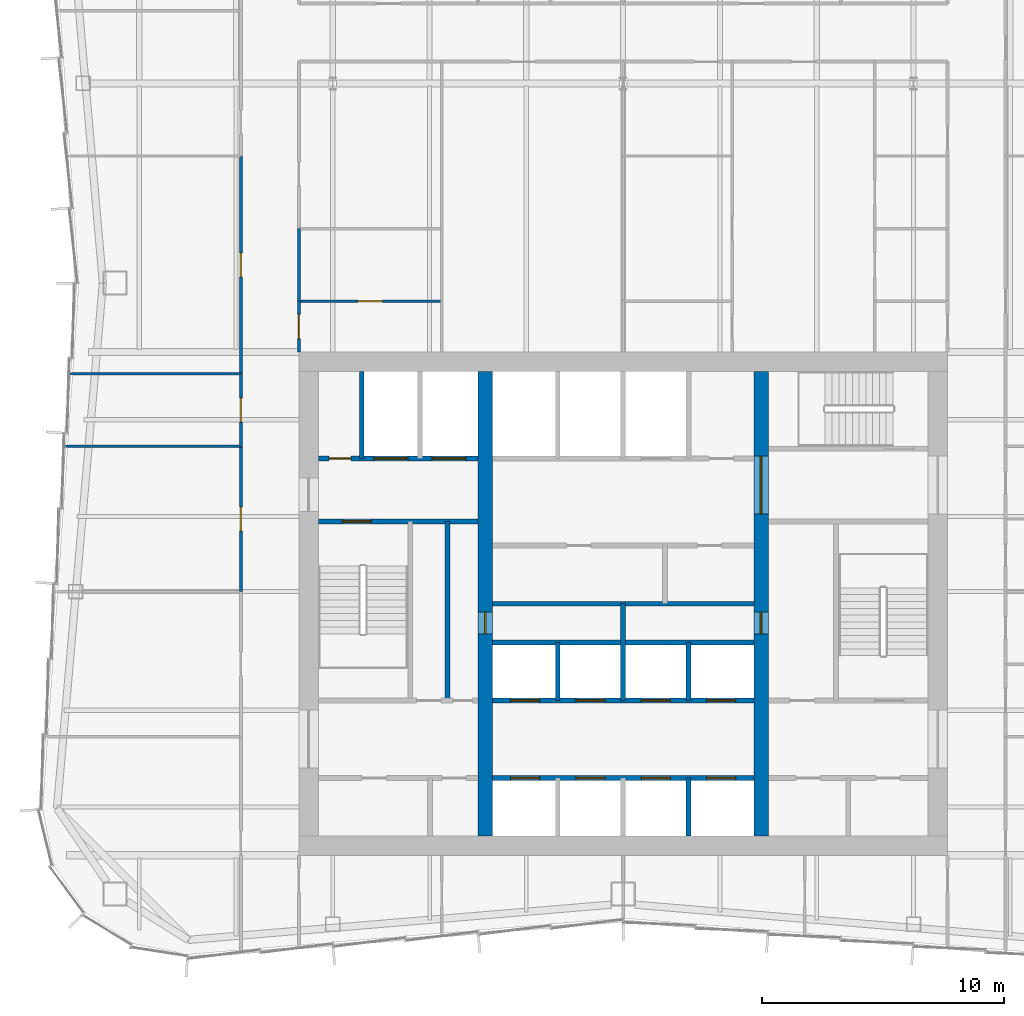
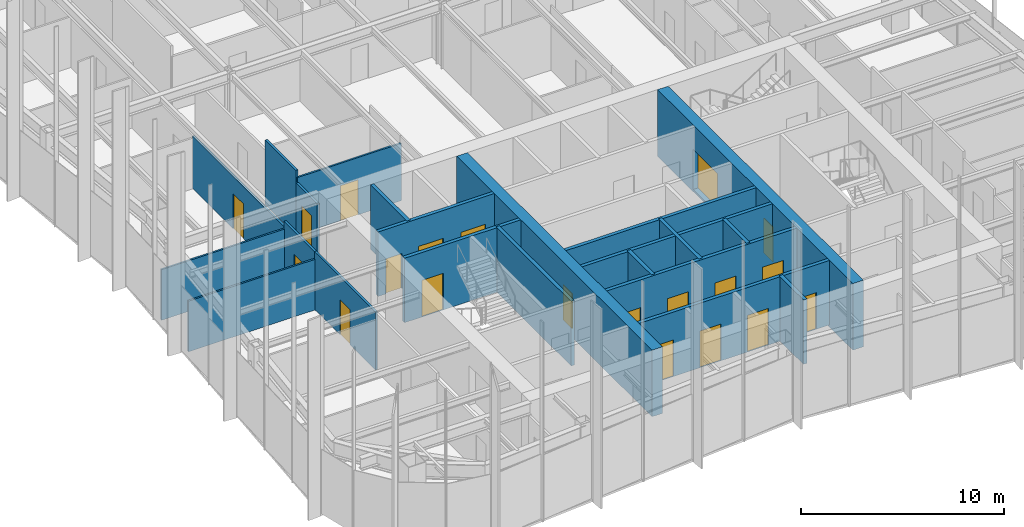
# One storey, part 11 of 15: 22 walls, 20 doors, 20 openings.
"""IFC4 building model written with IfcOpenShell, lengths in metres."""

from ifc_helpers import new_model, si_unit, direction, frame, frame_2d, origin, place, context, subcontext, project, spatial, rectangle, extrude, material, layer, layer_set, type_object, element, fill, save


model = new_model("IFC4")

# Units and contexts
model_context = context("Model", 3, precision=1e-05, world=origin(), true_north=direction((0.0, 1.0)))
body_context = subcontext(model_context, "Body", "Model", "MODEL_VIEW")
ifc_project = project(units=[si_unit("LENGTHUNIT", "METRE"), si_unit("AREAUNIT", "SQUARE_METRE"), si_unit("VOLUMEUNIT", "CUBIC_METRE"), si_unit("PLANEANGLEUNIT", "RADIAN"), si_unit("MASSUNIT", "GRAM", prefix="KILO")], contexts=[model_context])

# Site, building, storey
site_placement = place(None, origin())
site = spatial("IfcSite", under=ifc_project, at=site_placement, CompositionType="ELEMENT")
building_placement = place(site_placement, origin())
building = spatial("IfcBuilding", under=site, at=building_placement, Name="Verdant Reach Tower", CompositionType="ELEMENT")
storey_placement = place(building_placement, frame((0.0, 0.0, 262.0)))
storey = spatial("IfcBuildingStorey", under=building, at=storey_placement, Name="L60", CompositionType="ELEMENT", Elevation=262.0)

# Walls
ifc_material_1 = material(Name="Gypsum board on steel studs", Category="steel")
ifc_layer_1 = layer(ifc_material_1, 0.199951171875)
ifc_layer_set_1 = layer_set([ifc_layer_1], Name="CO-WALL-ROOM")
wall_type_1 = type_object("IfcWallType", Name="CO-WALL-ROOM", PredefinedType="PARTITIONING", material=ifc_layer_set_1)
wall_1_placement = place(storey_placement, frame((-5.39990234375, 28.0, 0.0), z_axis=(0.0, 0.0, 1.0), x_axis=(1.0, 0.0, 0.0)))
element("IfcWall", 1, at=wall_1_placement, inside=storey, type_object=wall_type_1, Name="Core partition, L60", PredefinedType="PARTITIONING", context=body_context, shape_type="SweptSolid", body=[
    extrude(rectangle(XDim=10.7998046875, YDim=0.199951171875, at=frame_2d((5.39990234375, 0.0))), origin(), (0.0, 0.0, 1.0), 3.8701171875),
])
wall_2_placement = place(storey_placement, frame((-7.260009765625, 24.0, 0.0), z_axis=(0.0, 0.0, 1.0), x_axis=(0.0, 1.0, 0.0)))
element("IfcWall", 2, at=wall_2_placement, inside=storey, type_object=wall_type_1, Name="Core partition, L60", PredefinedType="PARTITIONING", context=body_context, shape_type="SweptSolid", body=[
    extrude(rectangle(XDim=7.39990234375, YDim=0.199951171875, at=frame_2d((3.699951171875, 0.0))), origin(), (0.0, 0.0, 1.0), 3.8701171875),
])

# Wall, openings, doors
ifc_material_2 = material(Name="Concrete C40/50", Category="concrete")
ifc_layer_2 = layer(ifc_material_2, 0.199951171875)
ifc_layer_set_2 = layer_set([ifc_layer_2], Name="CO-WALL-SHAFT")
wall_type_2 = type_object("IfcWallType", Name="CO-WALL-SHAFT", PredefinedType="PARTITIONING", material=ifc_layer_set_2)
wall_3_placement = place(storey_placement, frame((-5.39990234375, 20.800048828125, 0.0), z_axis=(0.0, 0.0, 1.0), x_axis=(1.0, 0.0, 0.0)))
wall_3 = element("IfcWall", 3, at=wall_3_placement, inside=storey, type_object=wall_type_2, Name="Lift shaft wall, L60", PredefinedType="PARTITIONING", context=body_context, shape_type="SweptSolid", body=[
    extrude(rectangle(XDim=10.7998046875, YDim=0.199951171875, at=frame_2d((5.39990234375, 0.0))), origin(), (0.0, 0.0, 1.0), 3.8701171875),
])
opening_1_placement = place(wall_3_placement, frame((0.75, 0.0, 0.0)))
opening_1 = element("IfcOpeningElement", 4, at=opening_1_placement, cuts=wall_3, Name="Opening LD-B1", PredefinedType="OPENING", context=body_context, shape_type="SweptSolid", body=[
    extrude(rectangle(XDim=1.199951171875, YDim=2.199951171875, at=frame_2d((0.60009765625, 1.10009765625))), frame((0.0, 0.10986328125, 0.0), z_axis=(0.0, -1.0, 0.0), x_axis=(1.0, 0.0, 0.0)), (0.0, 0.0, 1.0), 0.219970703125),
])
opening_2_placement = place(wall_3_placement, frame((3.449951171875, 0.0, 0.0)))
opening_2 = element("IfcOpeningElement", 5, at=opening_2_placement, cuts=wall_3, Name="Opening LD-B2", PredefinedType="OPENING", context=body_context, shape_type="SweptSolid", body=[
    extrude(rectangle(XDim=1.199951171875, YDim=2.199951171875, at=frame_2d((0.60009765625, 1.10009765625))), frame((0.0, 0.10986328125, 0.0), z_axis=(0.0, -1.0, 0.0), x_axis=(1.0, 0.0, 0.0)), (0.0, 0.0, 1.0), 0.219970703125),
])
opening_3_placement = place(wall_3_placement, frame((6.14990234375, 0.0, 0.0)))
opening_3 = element("IfcOpeningElement", 6, at=opening_3_placement, cuts=wall_3, Name="Opening LD-B3", PredefinedType="OPENING", context=body_context, shape_type="SweptSolid", body=[
    extrude(rectangle(XDim=1.199951171875, YDim=2.199951171875, at=frame_2d((0.60009765625, 1.10009765625))), frame((0.0, 0.10986328125, 0.0), z_axis=(0.0, -1.0, 0.0), x_axis=(1.0, 0.0, 0.0)), (0.0, 0.0, 1.0), 0.219970703125),
])
opening_4_placement = place(wall_3_placement, frame((8.85009765625, 0.0, 0.0)))
opening_4 = element("IfcOpeningElement", 7, at=opening_4_placement, cuts=wall_3, Name="Opening LD-B4", PredefinedType="OPENING", context=body_context, shape_type="SweptSolid", body=[
    extrude(rectangle(XDim=1.199951171875, YDim=2.199951171875, at=frame_2d((0.60009765625, 1.10009765625))), frame((0.0, 0.10986328125, 0.0), z_axis=(0.0, -1.0, 0.0), x_axis=(1.0, 0.0, 0.0)), (0.0, 0.0, 1.0), 0.219970703125),
])
ifc_material_3 = material(Name="Stainless steel", Category="steel")
door_type_1 = type_object("IfcDoorType", Name="CO-DOOR-LANDING", OperationType="SLIDING_TO_LEFT", PredefinedType="DOOR", material=ifc_material_3)
door_1_placement = place(opening_1_placement, origin())
door_1 = element("IfcDoor", 8, at=door_1_placement, inside=storey, type_object=door_type_1, Name="Landing door B1, L60", OperationType="SLIDING_TO_LEFT", OverallHeight=2.199951171875, OverallWidth=1.199951171875, PredefinedType="DOOR", context=body_context, shape_type="SweptSolid", body=[
    extrude(rectangle(XDim=1.199951171875, YDim=2.199951171875, at=frame_2d((0.60009765625, 1.10009765625))), frame((0.0, 0.02490234375, 0.0), z_axis=(0.0, -1.0, 0.0), x_axis=(1.0, 0.0, 0.0)), (0.0, 0.0, 1.0), 0.050048828125),
])
fill(opening_1, door_1)
door_2_placement = place(opening_2_placement, origin())
door_2 = element("IfcDoor", 9, at=door_2_placement, inside=storey, type_object=door_type_1, Name="Landing door B2, L60", OperationType="SLIDING_TO_LEFT", OverallHeight=2.199951171875, OverallWidth=1.199951171875, PredefinedType="DOOR", context=body_context, shape_type="SweptSolid", body=[
    extrude(rectangle(XDim=1.199951171875, YDim=2.199951171875, at=frame_2d((0.60009765625, 1.10009765625))), frame((0.0, 0.02490234375, 0.0), z_axis=(0.0, -1.0, 0.0), x_axis=(1.0, 0.0, 0.0)), (0.0, 0.0, 1.0), 0.050048828125),
])
fill(opening_2, door_2)
door_3_placement = place(opening_3_placement, origin())
door_3 = element("IfcDoor", 10, at=door_3_placement, inside=storey, type_object=door_type_1, Name="Landing door B3, L60", OperationType="SLIDING_TO_LEFT", OverallHeight=2.199951171875, OverallWidth=1.199951171875, PredefinedType="DOOR", context=body_context, shape_type="SweptSolid", body=[
    extrude(rectangle(XDim=1.199951171875, YDim=2.199951171875, at=frame_2d((0.60009765625, 1.10009765625))), frame((0.0, 0.02490234375, 0.0), z_axis=(0.0, -1.0, 0.0), x_axis=(1.0, 0.0, 0.0)), (0.0, 0.0, 1.0), 0.050048828125),
])
fill(opening_3, door_3)
door_4_placement = place(opening_4_placement, origin())
door_4 = element("IfcDoor", 11, at=door_4_placement, inside=storey, type_object=door_type_1, Name="Landing door B4, L60", OperationType="SLIDING_TO_LEFT", OverallHeight=2.199951171875, OverallWidth=1.199951171875, PredefinedType="DOOR", context=body_context, shape_type="SweptSolid", body=[
    extrude(rectangle(XDim=1.199951171875, YDim=2.199951171875, at=frame_2d((0.60009765625, 1.10009765625))), frame((0.0, 0.02490234375, 0.0), z_axis=(0.0, -1.0, 0.0), x_axis=(1.0, 0.0, 0.0)), (0.0, 0.0, 1.0), 0.050048828125),
])
fill(opening_4, door_4)

wall_4_placement = place(storey_placement, frame((-5.39990234375, 24.0, 0.0), z_axis=(0.0, 0.0, 1.0), x_axis=(1.0, 0.0, 0.0)))
wall_4 = element("IfcWall", 12, at=wall_4_placement, inside=storey, type_object=wall_type_2, Name="Lift shaft wall, L60", PredefinedType="PARTITIONING", context=body_context, shape_type="SweptSolid", body=[
    extrude(rectangle(XDim=10.7998046875, YDim=0.199951171875, at=frame_2d((5.39990234375, 0.0))), origin(), (0.0, 0.0, 1.0), 3.8701171875),
])
opening_5_placement = place(wall_4_placement, frame((0.75, 0.0, 0.0)))
opening_5 = element("IfcOpeningElement", 13, at=opening_5_placement, cuts=wall_4, Name="Opening LD-A5", PredefinedType="OPENING", context=body_context, shape_type="SweptSolid", body=[
    extrude(rectangle(XDim=1.199951171875, YDim=2.199951171875, at=frame_2d((0.60009765625, 1.10009765625))), frame((0.0, 0.10986328125, 0.0), z_axis=(0.0, -1.0, 0.0), x_axis=(1.0, 0.0, 0.0)), (0.0, 0.0, 1.0), 0.219970703125),
])
opening_6_placement = place(wall_4_placement, frame((3.449951171875, 0.0, 0.0)))
opening_6 = element("IfcOpeningElement", 14, at=opening_6_placement, cuts=wall_4, Name="Opening LD-A6", PredefinedType="OPENING", context=body_context, shape_type="SweptSolid", body=[
    extrude(rectangle(XDim=1.199951171875, YDim=2.199951171875, at=frame_2d((0.60009765625, 1.10009765625))), frame((0.0, 0.10986328125, 0.0), z_axis=(0.0, -1.0, 0.0), x_axis=(1.0, 0.0, 0.0)), (0.0, 0.0, 1.0), 0.219970703125),
])
opening_7_placement = place(wall_4_placement, frame((6.14990234375, 0.0, 0.0)))
opening_7 = element("IfcOpeningElement", 15, at=opening_7_placement, cuts=wall_4, Name="Opening LD-A7", PredefinedType="OPENING", context=body_context, shape_type="SweptSolid", body=[
    extrude(rectangle(XDim=1.199951171875, YDim=2.199951171875, at=frame_2d((0.60009765625, 1.10009765625))), frame((0.0, 0.10986328125, 0.0), z_axis=(0.0, -1.0, 0.0), x_axis=(1.0, 0.0, 0.0)), (0.0, 0.0, 1.0), 0.219970703125),
])
opening_8_placement = place(wall_4_placement, frame((8.85009765625, 0.0, 0.0)))
opening_8 = element("IfcOpeningElement", 16, at=opening_8_placement, cuts=wall_4, Name="Opening LD-A8", PredefinedType="OPENING", context=body_context, shape_type="SweptSolid", body=[
    extrude(rectangle(XDim=1.199951171875, YDim=2.199951171875, at=frame_2d((0.60009765625, 1.10009765625))), frame((0.0, 0.10986328125, 0.0), z_axis=(0.0, -1.0, 0.0), x_axis=(1.0, 0.0, 0.0)), (0.0, 0.0, 1.0), 0.219970703125),
])
door_5_placement = place(opening_5_placement, origin())
door_5 = element("IfcDoor", 17, at=door_5_placement, inside=storey, type_object=door_type_1, Name="Landing door A5, L60", OperationType="SLIDING_TO_LEFT", OverallHeight=2.199951171875, OverallWidth=1.199951171875, PredefinedType="DOOR", context=body_context, shape_type="SweptSolid", body=[
    extrude(rectangle(XDim=1.199951171875, YDim=2.199951171875, at=frame_2d((0.60009765625, 1.10009765625))), frame((0.0, 0.02490234375, 0.0), z_axis=(0.0, -1.0, 0.0), x_axis=(1.0, 0.0, 0.0)), (0.0, 0.0, 1.0), 0.050048828125),
])
fill(opening_5, door_5)
door_6_placement = place(opening_6_placement, origin())
door_6 = element("IfcDoor", 18, at=door_6_placement, inside=storey, type_object=door_type_1, Name="Landing door A6, L60", OperationType="SLIDING_TO_LEFT", OverallHeight=2.199951171875, OverallWidth=1.199951171875, PredefinedType="DOOR", context=body_context, shape_type="SweptSolid", body=[
    extrude(rectangle(XDim=1.199951171875, YDim=2.199951171875, at=frame_2d((0.60009765625, 1.10009765625))), frame((0.0, 0.02490234375, 0.0), z_axis=(0.0, -1.0, 0.0), x_axis=(1.0, 0.0, 0.0)), (0.0, 0.0, 1.0), 0.050048828125),
])
fill(opening_6, door_6)
door_7_placement = place(opening_7_placement, origin())
door_7 = element("IfcDoor", 19, at=door_7_placement, inside=storey, type_object=door_type_1, Name="Landing door A7, L60", OperationType="SLIDING_TO_LEFT", OverallHeight=2.199951171875, OverallWidth=1.199951171875, PredefinedType="DOOR", context=body_context, shape_type="SweptSolid", body=[
    extrude(rectangle(XDim=1.199951171875, YDim=2.199951171875, at=frame_2d((0.60009765625, 1.10009765625))), frame((0.0, 0.02490234375, 0.0), z_axis=(0.0, -1.0, 0.0), x_axis=(1.0, 0.0, 0.0)), (0.0, 0.0, 1.0), 0.050048828125),
])
fill(opening_7, door_7)
door_8_placement = place(opening_8_placement, origin())
door_8 = element("IfcDoor", 20, at=door_8_placement, inside=storey, type_object=door_type_1, Name="Landing door A8, L60", OperationType="SLIDING_TO_LEFT", OverallHeight=2.199951171875, OverallWidth=1.199951171875, PredefinedType="DOOR", context=body_context, shape_type="SweptSolid", body=[
    extrude(rectangle(XDim=1.199951171875, YDim=2.199951171875, at=frame_2d((0.60009765625, 1.10009765625))), frame((0.0, 0.02490234375, 0.0), z_axis=(0.0, -1.0, 0.0), x_axis=(1.0, 0.0, 0.0)), (0.0, 0.0, 1.0), 0.050048828125),
])
fill(opening_8, door_8)

# Wall
wall_5_placement = place(storey_placement, frame((-5.39990234375, 26.39990234375, 0.0), z_axis=(0.0, 0.0, 1.0), x_axis=(1.0, 0.0, 0.0)))
element("IfcWall", 21, at=wall_5_placement, inside=storey, type_object=wall_type_2, Name="Lift shaft wall, L60", PredefinedType="PARTITIONING", context=body_context, shape_type="SweptSolid", body=[
    extrude(rectangle(XDim=10.7998046875, YDim=0.199951171875, at=frame_2d((5.39990234375, 0.0))), origin(), (0.0, 0.0, 1.0), 3.8701171875),
])

# Wall, openings, doors
wall_6_placement = place(storey_placement, frame((-12.60009765625, 34.0, 0.0), z_axis=(0.0, 0.0, 1.0), x_axis=(1.0, 0.0, 0.0)))
wall_6 = element("IfcWall", 22, at=wall_6_placement, inside=storey, type_object=wall_type_2, Name="Lift shaft wall, L60", PredefinedType="PARTITIONING", context=body_context, shape_type="SweptSolid", body=[
    extrude(rectangle(XDim=6.60009765625, YDim=0.199951171875, at=frame_2d((3.300048828125, 0.0))), origin(), (0.0, 0.0, 1.0), 3.8701171875),
])
opening_9_placement = place(wall_6_placement, frame((4.699951171875, 0.0, 0.0)))
opening_9 = element("IfcOpeningElement", 23, at=opening_9_placement, cuts=wall_6, Name="Opening LD-F1", PredefinedType="OPENING", context=body_context, shape_type="SweptSolid", body=[
    extrude(rectangle(XDim=1.39990234375, YDim=2.199951171875, at=frame_2d((0.699951171875, 1.10009765625))), frame((0.0, 0.10986328125, 0.0), z_axis=(0.0, -1.0, 0.0), x_axis=(1.0, 0.0, 0.0)), (0.0, 0.0, 1.0), 0.219970703125),
])
opening_10_placement = place(wall_6_placement, frame((2.300048828125, 0.0, 0.0)))
opening_10 = element("IfcOpeningElement", 24, at=opening_10_placement, cuts=wall_6, Name="Opening LD-F2", PredefinedType="OPENING", context=body_context, shape_type="SweptSolid", body=[
    extrude(rectangle(XDim=1.39990234375, YDim=2.199951171875, at=frame_2d((0.699951171875, 1.10009765625))), frame((0.0, 0.10986328125, 0.0), z_axis=(0.0, -1.0, 0.0), x_axis=(1.0, 0.0, 0.0)), (0.0, 0.0, 1.0), 0.219970703125),
])
opening_11_placement = place(wall_6_placement, frame((0.449951171875, 0.0, 0.0)))
opening_11 = element("IfcOpeningElement", 25, at=opening_11_placement, cuts=wall_6, Name="Opening RD", PredefinedType="OPENING", context=body_context, shape_type="SweptSolid", body=[
    extrude(rectangle(XDim=0.89990234375, YDim=2.10009765625, at=frame_2d((0.449951171875, 1.050048828125))), frame((0.0, 0.10986328125, 0.0), z_axis=(0.0, -1.0, 0.0), x_axis=(1.0, 0.0, 0.0)), (0.0, 0.0, 1.0), 0.219970703125),
])
door_type_2 = type_object("IfcDoorType", Name="CO-DOOR-LANDING-FF", OperationType="SLIDING_TO_LEFT", PredefinedType="DOOR", material=ifc_material_3)
door_9_placement = place(opening_9_placement, origin())
door_9 = element("IfcDoor", 26, at=door_9_placement, inside=storey, type_object=door_type_2, Name="Landing door F1, L60", OperationType="SLIDING_TO_LEFT", OverallHeight=2.199951171875, OverallWidth=1.39990234375, PredefinedType="DOOR", context=body_context, shape_type="SweptSolid", body=[
    extrude(rectangle(XDim=1.39990234375, YDim=2.199951171875, at=frame_2d((0.699951171875, 1.10009765625))), frame((0.0, 0.02490234375, 0.0), z_axis=(0.0, -1.0, 0.0), x_axis=(1.0, 0.0, 0.0)), (0.0, 0.0, 1.0), 0.050048828125),
])
fill(opening_9, door_9)
door_10_placement = place(opening_10_placement, origin())
door_10 = element("IfcDoor", 27, at=door_10_placement, inside=storey, type_object=door_type_2, Name="Landing door F2, L60", OperationType="SLIDING_TO_LEFT", OverallHeight=2.199951171875, OverallWidth=1.39990234375, PredefinedType="DOOR", context=body_context, shape_type="SweptSolid", body=[
    extrude(rectangle(XDim=1.39990234375, YDim=2.199951171875, at=frame_2d((0.699951171875, 1.10009765625))), frame((0.0, 0.02490234375, 0.0), z_axis=(0.0, -1.0, 0.0), x_axis=(1.0, 0.0, 0.0)), (0.0, 0.0, 1.0), 0.050048828125),
])
fill(opening_10, door_10)
ifc_material_4 = material(Name="Steel", Category="steel")
door_type_3 = type_object("IfcDoorType", Name="CO-DOOR-RISER", OperationType="NOTDEFINED", PredefinedType="DOOR", material=ifc_material_4)
door_11_placement = place(opening_11_placement, origin())
door_11 = element("IfcDoor", 28, at=door_11_placement, inside=storey, type_object=door_type_3, Name="Core room door, L60", OperationType="SINGLE_SWING_RIGHT", OverallHeight=2.10009765625, OverallWidth=0.89990234375, PredefinedType="DOOR", context=body_context, shape_type="SweptSolid", body=[
    extrude(rectangle(XDim=0.89990234375, YDim=2.10009765625, at=frame_2d((0.449951171875, 1.050048828125))), frame((0.0, 0.02490234375, 0.0), z_axis=(0.0, -1.0, 0.0), x_axis=(1.0, 0.0, 0.0)), (0.0, 0.0, 1.0), 0.050048828125),
])
fill(opening_11, door_11)

# Walls
wall_7_placement = place(storey_placement, frame((-10.800048828125, 34.0, 0.0), z_axis=(0.0, 0.0, 1.0), x_axis=(0.0, 1.0, 0.0)))
element("IfcWall", 29, at=wall_7_placement, inside=storey, type_object=wall_type_2, Name="Lift shaft wall, L60", PredefinedType="PARTITIONING", context=body_context, shape_type="SweptSolid", body=[
    extrude(rectangle(XDim=3.60009765625, YDim=0.199951171875, at=frame_2d((1.800048828125, 0.0))), origin(), (0.0, 0.0, 1.0), 3.8701171875),
])
wall_8_placement = place(storey_placement, frame((-2.699951171875, 24.0, 0.0), z_axis=(0.0, 0.0, 1.0), x_axis=(0.0, 1.0, 0.0)))
element("IfcWall", 30, at=wall_8_placement, inside=storey, type_object=wall_type_2, Name="Lift shaft wall, L60", PredefinedType="PARTITIONING", context=body_context, shape_type="SweptSolid", body=[
    extrude(rectangle(XDim=2.39990234375, YDim=0.199951171875, at=frame_2d((1.199951171875, 0.0))), origin(), (0.0, 0.0, 1.0), 3.8701171875),
])
wall_9_placement = place(storey_placement, frame((0.0, 24.0, 0.0), z_axis=(0.0, 0.0, 1.0), x_axis=(0.0, 1.0, 0.0)))
element("IfcWall", 31, at=wall_9_placement, inside=storey, type_object=wall_type_2, Name="Lift shaft wall, L60", PredefinedType="PARTITIONING", context=body_context, shape_type="SweptSolid", body=[
    extrude(rectangle(XDim=4.0, YDim=0.199951171875, at=frame_2d((2.0, 0.0))), origin(), (0.0, 0.0, 1.0), 3.8701171875),
])
wall_10_placement = place(storey_placement, frame((2.699951171875, 18.39990234375, 0.0), z_axis=(0.0, 0.0, 1.0), x_axis=(0.0, 1.0, 0.0)))
element("IfcWall", 32, at=wall_10_placement, inside=storey, type_object=wall_type_2, Name="Lift shaft wall, L60", PredefinedType="PARTITIONING", context=body_context, shape_type="SweptSolid", body=[
    extrude(rectangle(XDim=2.400146484375, YDim=0.199951171875, at=frame_2d((1.2001953125, 0.0))), origin(), (0.0, 0.0, 1.0), 3.8701171875),
])
wall_11_placement = place(storey_placement, frame((2.699951171875, 24.0, 0.0), z_axis=(0.0, 0.0, 1.0), x_axis=(0.0, 1.0, 0.0)))
element("IfcWall", 33, at=wall_11_placement, inside=storey, type_object=wall_type_2, Name="Lift shaft wall, L60", PredefinedType="PARTITIONING", context=body_context, shape_type="SweptSolid", body=[
    extrude(rectangle(XDim=2.39990234375, YDim=0.199951171875, at=frame_2d((1.199951171875, 0.0))), origin(), (0.0, 0.0, 1.0), 3.8701171875),
])

# Wall, opening, door
ifc_layer_3 = layer(ifc_material_2, 0.199951171875)
ifc_layer_set_3 = layer_set([ifc_layer_3], Name="CO-WALL-STAIR")
wall_type_3 = type_object("IfcWallType", Name="CO-WALL-STAIR", PredefinedType="PARTITIONING", material=ifc_layer_set_3)
wall_12_placement = place(storey_placement, frame((-12.60009765625, 31.39990234375, 0.0), z_axis=(0.0, 0.0, 1.0), x_axis=(1.0, 0.0, 0.0)))
wall_12 = element("IfcWall", 34, at=wall_12_placement, inside=storey, type_object=wall_type_3, Name="Stair enclosure wall, L60", PredefinedType="PARTITIONING", context=body_context, shape_type="SweptSolid", body=[
    extrude(rectangle(XDim=6.60009765625, YDim=0.199951171875, at=frame_2d((3.300048828125, 0.0))), origin(), (0.0, 0.0, 1.0), 3.8701171875),
])
opening_12_placement = place(wall_12_placement, frame((1.0, 0.0, 0.0)))
opening_12 = element("IfcOpeningElement", 35, at=opening_12_placement, cuts=wall_12, Name="Opening SD", PredefinedType="OPENING", context=body_context, shape_type="SweptSolid", body=[
    extrude(rectangle(XDim=1.199951171875, YDim=2.199951171875, at=frame_2d((0.60009765625, 1.10009765625))), frame((0.0, 0.10986328125, 0.0), z_axis=(0.0, -1.0, 0.0), x_axis=(1.0, 0.0, 0.0)), (0.0, 0.0, 1.0), 0.219970703125),
])
door_type_4 = type_object("IfcDoorType", Name="CO-DOOR-STAIR", OperationType="NOTDEFINED", PredefinedType="DOOR", material=ifc_material_4)
door_12_placement = place(opening_12_placement, origin())
door_12 = element("IfcDoor", 36, at=door_12_placement, inside=storey, type_object=door_type_4, Name="Stair door, L60", OperationType="SINGLE_SWING_RIGHT", OverallHeight=2.199951171875, OverallWidth=1.199951171875, PredefinedType="DOOR", context=body_context, shape_type="SweptSolid", body=[
    extrude(rectangle(XDim=1.199951171875, YDim=2.199951171875, at=frame_2d((0.60009765625, 1.10009765625))), frame((0.0, 0.02490234375, 0.0), z_axis=(0.0, -1.0, 0.0), x_axis=(1.0, 0.0, 0.0)), (0.0, 0.0, 1.0), 0.050048828125),
])
fill(opening_12, door_12)

# Walls
ifc_layer_4 = layer(ifc_material_1, 0.10009765625)
ifc_layer_set_4 = layer_set([ifc_layer_4], Name="FL-W1 Partition 100")
wall_type_4 = type_object("IfcWallType", Name="FL-W1 Partition 100", PredefinedType="PARTITIONING", material=ifc_layer_set_4)
wall_13_placement = place(storey_placement, frame((-15.800048828125, 34.5, 0.0), z_axis=(0.0, 0.0, 1.0), x_axis=(-1.0, 0.0, 0.0)))
element("IfcWall", 37, at=wall_13_placement, inside=storey, type_object=wall_type_4, Name="Partition 60.43", PredefinedType="PARTITIONING", context=body_context, shape_type="SweptSolid", body=[
    extrude(rectangle(XDim=7.245361328125, YDim=0.10009765625, at=frame_2d((3.62255859375, 0.0))), origin(), (0.0, 0.0, 1.0), 3.0400390625),
])
wall_14_placement = place(storey_placement, frame((-15.800048828125, 37.5, 0.0), z_axis=(0.0, 0.0, 1.0), x_axis=(-1.0, 0.0, 0.0)))
element("IfcWall", 38, at=wall_14_placement, inside=storey, type_object=wall_type_4, Name="Partition 60.44", PredefinedType="PARTITIONING", context=body_context, shape_type="SweptSolid", body=[
    extrude(rectangle(XDim=7.03857421875, YDim=0.10009765625, at=frame_2d((3.519287109375, 0.0))), origin(), (0.0, 0.0, 1.0), 3.0400390625),
])

# Wall, opening, door
wall_15_placement = place(storey_placement, frame((-13.39990234375, 40.5, 0.0), z_axis=(0.0, 0.0, 1.0), x_axis=(1.0, 0.0, 0.0)))
wall_15 = element("IfcWall", 39, at=wall_15_placement, inside=storey, type_object=wall_type_4, Name="Partition 60.59", PredefinedType="PARTITIONING", context=body_context, shape_type="SweptSolid", body=[
    extrude(rectangle(XDim=5.89990234375, YDim=0.10009765625, at=frame_2d((2.949951171875, 0.0))), origin(), (0.0, 0.0, 1.0), 3.43994140625),
])
opening_13_placement = place(wall_15_placement, frame((2.449951171875, 0.0, 0.0)))
opening_13 = element("IfcOpeningElement", 40, at=opening_13_placement, cuts=wall_15, Name="Opening D3", PredefinedType="OPENING", context=body_context, shape_type="SweptSolid", body=[
    extrude(rectangle(XDim=1.0, YDim=2.10009765625, at=frame_2d((0.5, 1.050048828125))), frame((0.0, 0.06005859375, 0.0), z_axis=(0.0, -1.0, 0.0), x_axis=(1.0, 0.0, 0.0)), (0.0, 0.0, 1.0), 0.1201171875),
])
ifc_material_5 = material(Name="Painted timber door leaf", Category="wood")
door_type_5 = type_object("IfcDoorType", Name="FL-D3 Door 1000x2100", OperationType="NOTDEFINED", PredefinedType="DOOR", material=ifc_material_5)
door_13_placement = place(opening_13_placement, origin())
door_13 = element("IfcDoor", 41, at=door_13_placement, inside=storey, type_object=door_type_5, Name="Door 60-033", OperationType="SINGLE_SWING_LEFT", OverallHeight=2.10009765625, OverallWidth=1.0, PredefinedType="DOOR", context=body_context, shape_type="SweptSolid", body=[
    extrude(rectangle(XDim=1.0, YDim=2.10009765625, at=frame_2d((0.5, 1.050048828125))), frame((0.0, 0.02490234375, 0.0), z_axis=(0.0, -1.0, 0.0), x_axis=(1.0, 0.0, 0.0)), (0.0, 0.0, 1.0), 0.050048828125),
])
fill(opening_13, door_13)

ifc_material_6 = material(Name="Gypsum board on steel studs, fire rated", Category="steel")
ifc_layer_5 = layer(ifc_material_6, 0.125)
ifc_layer_set_5 = layer_set([ifc_layer_5], Name="FL-W2 Corridor wall 125")
wall_type_5 = type_object("IfcWallType", Name="FL-W2 Corridor wall 125", PredefinedType="PARTITIONING", material=ifc_layer_set_5)
wall_16_placement = place(storey_placement, frame((-15.800048828125, 28.5, 0.0), z_axis=(0.0, 0.0, 1.0), x_axis=(0.0, 1.0, 0.0)))
wall_16 = element("IfcWall", 42, at=wall_16_placement, inside=storey, type_object=wall_type_5, Name="Partition 60.03", PredefinedType="PARTITIONING", context=body_context, shape_type="SweptSolid", body=[
    extrude(rectangle(XDim=6.0, YDim=0.125, at=frame_2d((3.0, 0.0))), origin(), (0.0, 0.0, 1.0), 3.47998046875),
])
opening_14_placement = place(wall_16_placement, frame((2.5, 0.0, 0.0)))
opening_14 = element("IfcOpeningElement", 43, at=opening_14_placement, cuts=wall_16, Name="Opening D2", PredefinedType="OPENING", context=body_context, shape_type="SweptSolid", body=[
    extrude(rectangle(XDim=1.0, YDim=2.10009765625, at=frame_2d((0.5, 1.050048828125))), frame((0.0, 0.072509765625, 0.0), z_axis=(0.0, -1.0, 0.0), x_axis=(1.0, 0.0, 0.0)), (0.0, 0.0, 1.0), 0.14501953125),
])
ifc_material_7 = material(Name="Timber door leaf, fire rated", Category="wood")
door_type_6 = type_object("IfcDoorType", Name="FL-D2 Entrance door 1000x2100 FD30", OperationType="NOTDEFINED", PredefinedType="DOOR", material=ifc_material_7)
door_14_placement = place(opening_14_placement, origin())
door_14 = element("IfcDoor", 44, at=door_14_placement, inside=storey, type_object=door_type_6, Name="Door 60-003", OperationType="SINGLE_SWING_LEFT", OverallHeight=2.10009765625, OverallWidth=1.0, PredefinedType="DOOR", context=body_context, shape_type="SweptSolid", body=[
    extrude(rectangle(XDim=1.0, YDim=2.10009765625, at=frame_2d((0.5, 1.050048828125))), frame((0.0, 0.02490234375, 0.0), z_axis=(0.0, -1.0, 0.0), x_axis=(1.0, 0.0, 0.0)), (0.0, 0.0, 1.0), 0.050048828125),
])
fill(opening_14, door_14)

wall_17_placement = place(storey_placement, frame((-15.800048828125, 34.5, 0.0), z_axis=(0.0, 0.0, 1.0), x_axis=(0.0, 1.0, 0.0)))
wall_17 = element("IfcWall", 45, at=wall_17_placement, inside=storey, type_object=wall_type_5, Name="Partition 60.04", PredefinedType="PARTITIONING", context=body_context, shape_type="SweptSolid", body=[
    extrude(rectangle(XDim=3.0, YDim=0.125, at=frame_2d((1.5, 0.0))), origin(), (0.0, 0.0, 1.0), 3.47998046875),
])
opening_15_placement = place(wall_17_placement, frame((1.0, 0.0, 0.0)))
opening_15 = element("IfcOpeningElement", 46, at=opening_15_placement, cuts=wall_17, Name="Opening D2", PredefinedType="OPENING", context=body_context, shape_type="SweptSolid", body=[
    extrude(rectangle(XDim=1.0, YDim=2.10009765625, at=frame_2d((0.5, 1.050048828125))), frame((0.0, 0.072509765625, 0.0), z_axis=(0.0, -1.0, 0.0), x_axis=(1.0, 0.0, 0.0)), (0.0, 0.0, 1.0), 0.14501953125),
])
door_15_placement = place(opening_15_placement, origin())
door_15 = element("IfcDoor", 47, at=door_15_placement, inside=storey, type_object=door_type_6, Name="Door 60-004", OperationType="SINGLE_SWING_RIGHT", OverallHeight=2.10009765625, OverallWidth=1.0, PredefinedType="DOOR", context=body_context, shape_type="SweptSolid", body=[
    extrude(rectangle(XDim=1.0, YDim=2.10009765625, at=frame_2d((0.5, 1.050048828125))), frame((0.0, 0.02490234375, 0.0), z_axis=(0.0, -1.0, 0.0), x_axis=(1.0, 0.0, 0.0)), (0.0, 0.0, 1.0), 0.050048828125),
])
fill(opening_15, door_15)

wall_18_placement = place(storey_placement, frame((-15.800048828125, 37.5, 0.0), z_axis=(0.0, 0.0, 1.0), x_axis=(0.0, 1.0, 0.0)))
wall_18 = element("IfcWall", 48, at=wall_18_placement, inside=storey, type_object=wall_type_5, Name="Partition 60.05", PredefinedType="PARTITIONING", context=body_context, shape_type="SweptSolid", body=[
    extrude(rectangle(XDim=9.0, YDim=0.125, at=frame_2d((4.5, 0.0))), origin(), (0.0, 0.0, 1.0), 3.139892578125),
])
opening_16_placement = place(wall_18_placement, frame((4.0, 0.0, 0.0)))
opening_16 = element("IfcOpeningElement", 49, at=opening_16_placement, cuts=wall_18, Name="Opening D2", PredefinedType="OPENING", context=body_context, shape_type="SweptSolid", body=[
    extrude(rectangle(XDim=1.0, YDim=2.10009765625, at=frame_2d((0.5, 1.050048828125))), frame((0.0, 0.072509765625, 0.0), z_axis=(0.0, -1.0, 0.0), x_axis=(1.0, 0.0, 0.0)), (0.0, 0.0, 1.0), 0.14501953125),
])
door_16_placement = place(opening_16_placement, origin())
door_16 = element("IfcDoor", 50, at=door_16_placement, inside=storey, type_object=door_type_6, Name="Door 60-005", OperationType="SINGLE_SWING_LEFT", OverallHeight=2.10009765625, OverallWidth=1.0, PredefinedType="DOOR", context=body_context, shape_type="SweptSolid", body=[
    extrude(rectangle(XDim=1.0, YDim=2.10009765625, at=frame_2d((0.5, 1.050048828125))), frame((0.0, 0.02490234375, 0.0), z_axis=(0.0, -1.0, 0.0), x_axis=(1.0, 0.0, 0.0)), (0.0, 0.0, 1.0), 0.050048828125),
])
fill(opening_16, door_16)

wall_19_placement = place(storey_placement, frame((-13.39990234375, 40.5, 0.0), z_axis=(0.0, 0.0, 1.0), x_axis=(0.0, -1.0, 0.0)))
wall_19 = element("IfcWall", 51, at=wall_19_placement, inside=storey, type_object=wall_type_5, Name="Partition 60.20", PredefinedType="PARTITIONING", context=body_context, shape_type="SweptSolid", body=[
    extrude(rectangle(XDim=2.10009765625, YDim=0.125, at=frame_2d((1.050048828125, 0.0))), origin(), (0.0, 0.0, 1.0), 3.139892578125),
])
opening_17_placement = place(wall_19_placement, frame((0.550048828125, 0.0, 0.0)))
opening_17 = element("IfcOpeningElement", 52, at=opening_17_placement, cuts=wall_19, Name="Opening D2", PredefinedType="OPENING", context=body_context, shape_type="SweptSolid", body=[
    extrude(rectangle(XDim=1.0, YDim=2.10009765625, at=frame_2d((0.5, 1.050048828125))), frame((0.0, 0.072509765625, 0.0), z_axis=(0.0, -1.0, 0.0), x_axis=(1.0, 0.0, 0.0)), (0.0, 0.0, 1.0), 0.14501953125),
])
door_17_placement = place(opening_17_placement, origin())
door_17 = element("IfcDoor", 53, at=door_17_placement, inside=storey, type_object=door_type_6, Name="Door 60-020", OperationType="SINGLE_SWING_RIGHT", OverallHeight=2.10009765625, OverallWidth=1.0, PredefinedType="DOOR", context=body_context, shape_type="SweptSolid", body=[
    extrude(rectangle(XDim=1.0, YDim=2.10009765625, at=frame_2d((0.5, 1.050048828125))), frame((0.0, 0.02490234375, 0.0), z_axis=(0.0, -1.0, 0.0), x_axis=(1.0, 0.0, 0.0)), (0.0, 0.0, 1.0), 0.050048828125),
])
fill(opening_17, door_17)

# Wall
wall_20_placement = place(storey_placement, frame((-13.39990234375, 40.5, 0.0), z_axis=(0.0, 0.0, 1.0), x_axis=(0.0, 1.0, 0.0)))
element("IfcWall", 54, at=wall_20_placement, inside=storey, type_object=wall_type_5, Name="Partition 60.21", PredefinedType="PARTITIONING", context=body_context, shape_type="SweptSolid", body=[
    extrude(rectangle(XDim=3.0, YDim=0.125, at=frame_2d((1.5, 0.0))), origin(), (0.0, 0.0, 1.0), 3.8701171875),
])

# Wall, opening, door
ifc_material_8 = material(Name="Concrete C70/85", Category="concrete")
ifc_layer_6 = layer(ifc_material_8, 0.60009765625)
ifc_layer_set_6 = layer_set([ifc_layer_6], Name="ST-CORE-WALL-600")
wall_type_6 = type_object("IfcWallType", Name="ST-CORE-WALL-600", PredefinedType="SHEAR", material=ifc_layer_set_6)
wall_21_placement = place(storey_placement, frame((-5.699951171875, 18.39990234375, -0.1298828125), z_axis=(0.0, 0.0, 1.0), x_axis=(0.0, 1.0, 0.0)))
wall_21 = element("IfcWall", 55, at=wall_21_placement, inside=storey, type_object=wall_type_6, Name="Core wall XW, L60", PredefinedType="SHEAR", context=body_context, shape_type="SweptSolid", body=[
    extrude(rectangle(XDim=19.2001953125, YDim=0.60009765625, at=frame_2d((9.60009765625, 0.0))), origin(), (0.0, 0.0, 1.0), 4.0),
])
opening_18_placement = place(wall_21_placement, frame((8.35009765625, 0.0, 0.1298828125)))
opening_18 = element("IfcOpeningElement", 56, at=opening_18_placement, cuts=wall_21, Name="Opening RD", PredefinedType="OPENING", context=body_context, shape_type="SweptSolid", body=[
    extrude(rectangle(XDim=0.89990234375, YDim=2.10009765625, at=frame_2d((0.449951171875, 1.050048828125))), frame((0.0, 0.31005859375, 0.0), z_axis=(0.0, -1.0, 0.0), x_axis=(1.0, 0.0, 0.0)), (0.0, 0.0, 1.0), 0.6201171875),
])
door_18_placement = place(opening_18_placement, origin())
door_18 = element("IfcDoor", 57, at=door_18_placement, inside=storey, type_object=door_type_3, Name="Riser door, L60", OperationType="SINGLE_SWING_LEFT", OverallHeight=2.10009765625, OverallWidth=0.89990234375, PredefinedType="DOOR", context=body_context, shape_type="SweptSolid", body=[
    extrude(rectangle(XDim=0.89990234375, YDim=2.10009765625, at=frame_2d((0.449951171875, 1.050048828125))), frame((0.0, 0.02490234375, 0.0), z_axis=(0.0, -1.0, 0.0), x_axis=(1.0, 0.0, 0.0)), (0.0, 0.0, 1.0), 0.050048828125),
])
fill(opening_18, door_18)

# Wall, openings, doors
wall_22_placement = place(storey_placement, frame((5.699951171875, 18.39990234375, -0.1298828125), z_axis=(0.0, 0.0, 1.0), x_axis=(0.0, 1.0, 0.0)))
wall_22 = element("IfcWall", 58, at=wall_22_placement, inside=storey, type_object=wall_type_6, Name="Core wall XE, L60", PredefinedType="SHEAR", context=body_context, shape_type="SweptSolid", body=[
    extrude(rectangle(XDim=19.2001953125, YDim=0.60009765625, at=frame_2d((9.60009765625, 0.0))), origin(), (0.0, 0.0, 1.0), 4.0),
])
opening_19_placement = place(wall_22_placement, frame((8.35009765625, 0.0, 0.1298828125)))
opening_19 = element("IfcOpeningElement", 59, at=opening_19_placement, cuts=wall_22, Name="Opening RD", PredefinedType="OPENING", context=body_context, shape_type="SweptSolid", body=[
    extrude(rectangle(XDim=0.89990234375, YDim=2.10009765625, at=frame_2d((0.449951171875, 1.050048828125))), frame((0.0, 0.31005859375, 0.0), z_axis=(0.0, -1.0, 0.0), x_axis=(1.0, 0.0, 0.0)), (0.0, 0.0, 1.0), 0.6201171875),
])
opening_20_placement = place(wall_22_placement, frame((13.300048828125, 0.0, 0.1298828125)))
opening_20 = element("IfcOpeningElement", 60, at=opening_20_placement, cuts=wall_22, Name="Opening LB", PredefinedType="OPENING", context=body_context, shape_type="SweptSolid", body=[
    extrude(rectangle(XDim=2.39990234375, YDim=2.39990234375, at=frame_2d((1.199951171875, 1.199951171875))), frame((0.0, 0.31005859375, 0.0), z_axis=(0.0, -1.0, 0.0), x_axis=(1.0, 0.0, 0.0)), (0.0, 0.0, 1.0), 0.6201171875),
])
ifc_material_9 = material(Name="Glass and steel", Category="steel")
door_type_7 = type_object("IfcDoorType", Name="CO-DOOR-LOBBY", OperationType="DOUBLE_DOOR_SINGLE_SWING", PredefinedType="DOOR", material=ifc_material_9)
door_19_placement = place(opening_20_placement, origin())
door_19 = element("IfcDoor", 61, at=door_19_placement, inside=storey, type_object=door_type_7, Name="Core entrance door, L60", OperationType="DOUBLE_DOOR_SINGLE_SWING", OverallHeight=2.39990234375, OverallWidth=2.39990234375, PredefinedType="DOOR", context=body_context, shape_type="SweptSolid", body=[
    extrude(rectangle(XDim=2.39990234375, YDim=2.39990234375, at=frame_2d((1.199951171875, 1.199951171875))), frame((0.0, 0.02490234375, 0.0), z_axis=(0.0, -1.0, 0.0), x_axis=(1.0, 0.0, 0.0)), (0.0, 0.0, 1.0), 0.050048828125),
])
fill(opening_20, door_19)
door_20_placement = place(opening_19_placement, origin())
door_20 = element("IfcDoor", 62, at=door_20_placement, inside=storey, type_object=door_type_3, Name="Riser door, L60", OperationType="SINGLE_SWING_RIGHT", OverallHeight=2.10009765625, OverallWidth=0.89990234375, PredefinedType="DOOR", context=body_context, shape_type="SweptSolid", body=[
    extrude(rectangle(XDim=0.89990234375, YDim=2.10009765625, at=frame_2d((0.449951171875, 1.050048828125))), frame((0.0, 0.02490234375, 0.0), z_axis=(0.0, -1.0, 0.0), x_axis=(1.0, 0.0, 0.0)), (0.0, 0.0, 1.0), 0.050048828125),
])
fill(opening_19, door_20)

save(model, "model.ifc")
